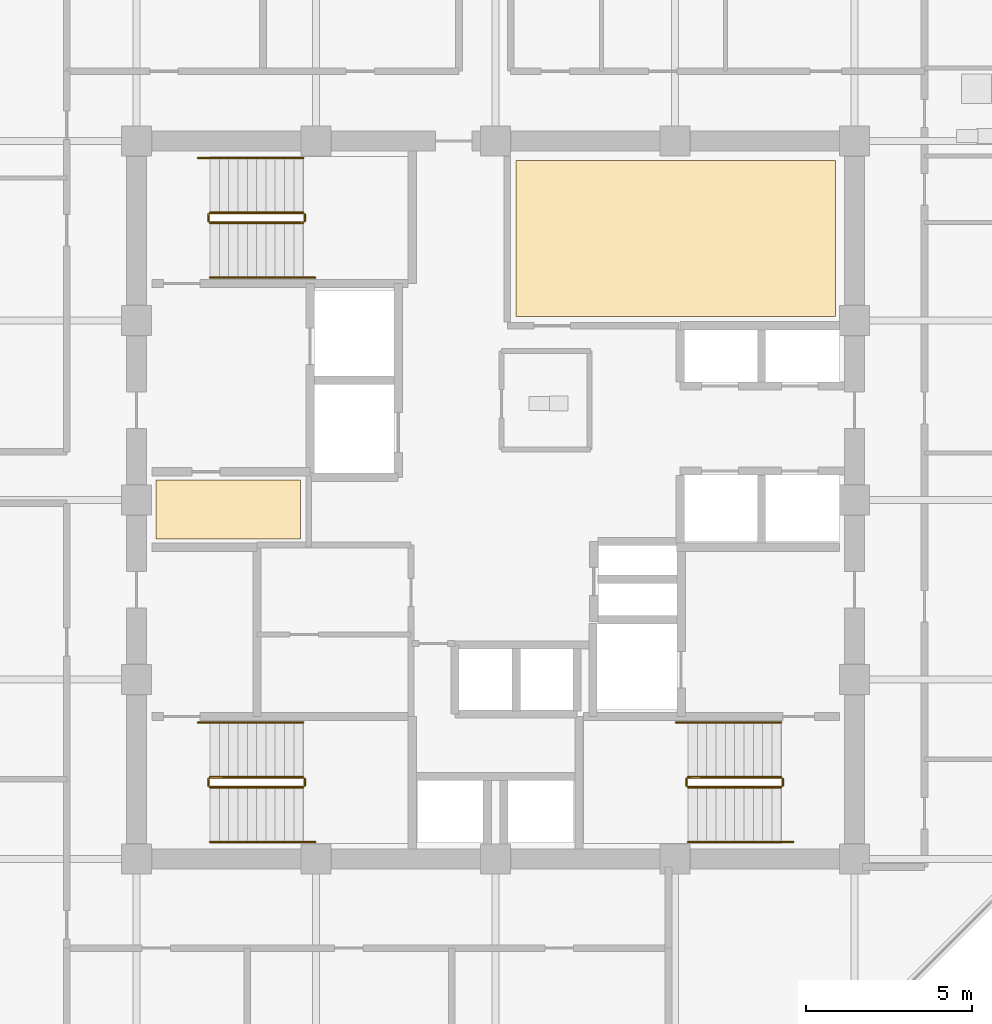
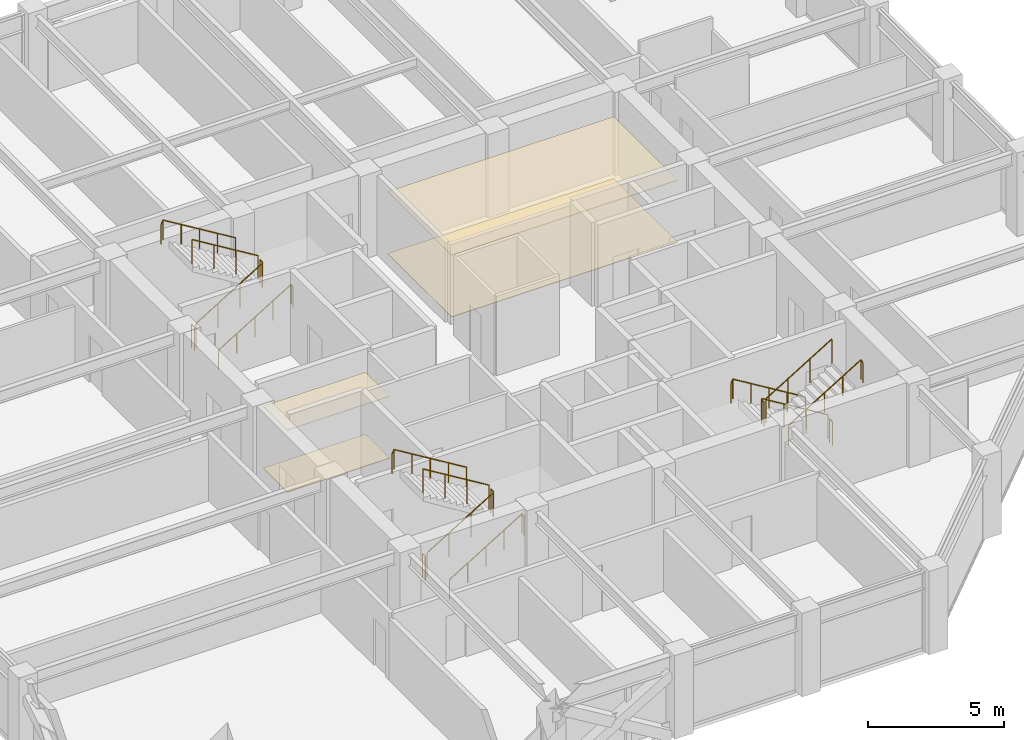
# One storey, part 31 of 32: 18 railings, 4 coverings.
"""IFC4 building model written with IfcOpenShell, lengths in metres."""

from ifc_helpers import new_model, si_unit, direction, frame, origin, origin_2d, place, context, subcontext, project, spatial, polyline, circle, outline, extrude, material, layer, layer_set, type_object, element, save


model = new_model("IFC4")

# Units and contexts
model_context = context("Model", 3, precision=1e-05, world=origin(), true_north=direction((0.0, 1.0)))
body_context = subcontext(model_context, "Body", "Model", "MODEL_VIEW")
ifc_project = project(units=[si_unit("LENGTHUNIT", "METRE"), si_unit("AREAUNIT", "SQUARE_METRE"), si_unit("VOLUMEUNIT", "CUBIC_METRE"), si_unit("PLANEANGLEUNIT", "RADIAN"), si_unit("MASSUNIT", "GRAM", prefix="KILO")], contexts=[model_context])

# Site, building, storey
site_placement = place(None, origin())
site = spatial("IfcSite", under=ifc_project, at=site_placement, CompositionType="ELEMENT")
building_placement = place(site_placement, origin())
building = spatial("IfcBuilding", under=site, at=building_placement, Name="Surkhivell Harbour Commons", CompositionType="ELEMENT")
storey_placement = place(building_placement, frame((0.0, 0.0, 219.75)))
storey = spatial("IfcBuildingStorey", under=building, at=storey_placement, Name="L57", CompositionType="ELEMENT", Elevation=219.75)

# Coverings
ifc_material_1 = material(Name="Perforated acoustic mineral-fibre ceiling tile", Category="other")
ifc_layer_1 = layer(ifc_material_1, 0.02490234375)
ifc_layer_set_1 = layer_set([ifc_layer_1], Name="Perforated acoustic mineral-fibre ceiling tile")
covering_type_1 = type_object("IfcCoveringType", Name="COV-CEIL-AC", PredefinedType="CEILING", material=ifc_layer_set_1)
covering_1_placement = place(storey_placement, frame((0.0, 0.0, 2.77490234375)))
element("IfcCovering", 1, at=covering_1_placement, inside=storey, type_object=covering_type_1, Name="L57 Suspended Acoustic Ceiling 1", PredefinedType="CEILING", context=body_context, shape_type="SweptSolid", body=[
    extrude(outline(polyline([(-10.219970703125, -1.179931640625), (-5.8701171875, -1.179931640625), (-5.8701171875, 0.60009765625), (-10.219970703125, 0.60009765625), (-10.219970703125, -1.179931640625)])), origin(), (0.0, 0.0, 1.0), 0.025146484375),
])
ifc_material_2 = material(Name="Moisture-resistant gypsum acoustic ceiling board", Category="other")
ifc_layer_2 = layer(ifc_material_2, 0.030029296875)
ifc_layer_set_2 = layer_set([ifc_layer_2], Name="Moisture-resistant gypsum acoustic ceiling board")
covering_type_2 = type_object("IfcCoveringType", Name="COV-CEIL-GYP", PredefinedType="CEILING", material=ifc_layer_set_2)
covering_2_placement = place(storey_placement, frame((0.0, 0.0, 2.77001953125)))
element("IfcCovering", 2, at=covering_2_placement, inside=storey, type_object=covering_type_2, Name="L57 Suspended Acoustic Ceiling 2", PredefinedType="CEILING", context=body_context, shape_type="SweptSolid", body=[
    extrude(outline(polyline([(0.6201171875, 5.52001953125), (10.219970703125, 5.52001953125), (10.219970703125, 10.219970703125), (0.6201171875, 10.219970703125), (0.6201171875, 5.52001953125)])), origin(), (0.0, 0.0, 1.0), 0.030029296875),
])
ifc_material_3 = material(Name="Engineered acoustic oak timber flooring", Category="wood")
ifc_layer_3 = layer(ifc_material_3, 0.02001953125)
ifc_layer_set_3 = layer_set([ifc_layer_3], Name="Engineered acoustic oak timber flooring")
covering_type_3 = type_object("IfcCoveringType", Name="COV-FLR-TIM", PredefinedType="FLOORING", material=ifc_layer_set_3)
covering_3_placement = place(storey_placement, origin())
element("IfcCovering", 3, at=covering_3_placement, inside=storey, type_object=covering_type_3, Name="L57 Interior Floor Finish 1", PredefinedType="FLOORING", context=body_context, shape_type="SweptSolid", body=[
    extrude(outline(polyline([(-10.219970703125, -1.179931640625), (-5.8701171875, -1.179931640625), (-5.8701171875, 0.60009765625), (-10.219970703125, 0.60009765625), (-10.219970703125, -1.179931640625)])), origin(), (0.0, 0.0, 1.0), 0.02001953125),
])
covering_4_placement = place(storey_placement, origin())
element("IfcCovering", 4, at=covering_4_placement, inside=storey, type_object=covering_type_3, Name="L57 Interior Floor Finish 2", PredefinedType="FLOORING", context=body_context, shape_type="SweptSolid", body=[
    extrude(outline(polyline([(0.6201171875, 5.52001953125), (10.219970703125, 5.52001953125), (10.219970703125, 10.219970703125), (0.6201171875, 10.219970703125), (0.6201171875, 5.52001953125)])), origin(), (0.0, 0.0, 1.0), 0.02001953125),
])

# Railings
ifc_material_4 = material(Name="Galvanised and painted steel S355 guard rail", Category="steel")
railing_type_1 = type_object("IfcRailingType", Name="RAL-ST-GRD1100", PredefinedType="GUARDRAIL", material=ifc_material_4)
railing_1_placement = place(storey_placement, frame((-8.590087890625, 8.340087890625, 0.17041015625)))
element("IfcRailing", 5, at=railing_1_placement, inside=storey, type_object=railing_type_1, Name="L57 ST1 stair guard 1", PredefinedType="GUARDRAIL", context=body_context, shape_type="SweptSolid", body=[
    extrude(circle(Radius=0.02392578125, at=origin_2d()), frame((0.0, 0.0, 1.076171875), z_axis=(0.854169791009, 0.0, 0.51999420009), x_axis=(0.0, 1.0, 0.0)), (0.0, 0.0, 1.0), 3.278076171875),
    extrude(circle(Radius=0.02099609375, at=origin_2d()), origin(), (0.0, 0.0, 1.0), 1.052001953125),
    extrude(circle(Radius=0.02099609375, at=origin_2d()), frame((0.933349609375, 0.0, 0.568115234375)), (0.0, 0.0, 1.0), 1.052001953125),
    extrude(circle(Radius=0.02099609375, at=origin_2d()), frame((1.86669921875, 0.0, 1.136474609375)), (0.0, 0.0, 1.0), 1.052001953125),
    extrude(circle(Radius=0.02099609375, at=origin_2d()), frame((2.800048828125, 0.0, 1.70458984375)), (0.0, 0.0, 1.0), 1.052001953125),
])
railing_2_placement = place(storey_placement, frame((-5.739990234375, 8.389892578125, 1.875)))
element("IfcRailing", 6, at=railing_2_placement, inside=storey, type_object=railing_type_1, Name="L57 ST1 stair guard 2", PredefinedType="GUARDRAIL", context=body_context, shape_type="SweptSolid", body=[
    extrude(circle(Radius=0.02392578125, at=origin_2d()), frame((0.0, 0.0, 1.076171875), z_axis=(0.0, 1.0, 0.0), x_axis=(-1.0, 0.0, 0.0)), (0.0, 0.0, 1.0), 0.2001953125),
    extrude(circle(Radius=0.02099609375, at=origin_2d()), origin(), (0.0, 0.0, 1.0), 1.052001953125),
    extrude(circle(Radius=0.02099609375, at=origin_2d()), frame((0.0, 0.2001953125, 0.0)), (0.0, 0.0, 1.0), 1.052001953125),
])
railing_3_placement = place(storey_placement, frame((-5.7900390625, 8.639892578125, 2.04541015625)))
element("IfcRailing", 7, at=railing_3_placement, inside=storey, type_object=railing_type_1, Name="L57 ST1 stair guard 3", PredefinedType="GUARDRAIL", context=body_context, shape_type="SweptSolid", body=[
    extrude(circle(Radius=0.02392578125, at=origin_2d()), frame((0.0, 0.0, 1.076171875), z_axis=(-0.854169791009, 0.0, 0.51999420009), x_axis=(0.0, -1.0, 0.0)), (0.0, 0.0, 1.0), 3.278076171875),
    extrude(circle(Radius=0.02099609375, at=origin_2d()), origin(), (0.0, 0.0, 1.0), 1.052001953125),
    extrude(circle(Radius=0.02099609375, at=origin_2d()), frame((-0.933349609375, 0.0, 0.568115234375)), (0.0, 0.0, 1.0), 1.052001953125),
    extrude(circle(Radius=0.02099609375, at=origin_2d()), frame((-1.86669921875, 0.0, 1.136474609375)), (0.0, 0.0, 1.0), 1.052001953125),
    extrude(circle(Radius=0.02099609375, at=origin_2d()), frame((-2.800048828125, 0.0, 1.70458984375)), (0.0, 0.0, 1.0), 1.052001953125),
])
railing_4_placement = place(storey_placement, frame((-8.639892578125, 8.389892578125, 0.0)))
element("IfcRailing", 8, at=railing_4_placement, inside=storey, type_object=railing_type_1, Name="L57 ST1 stair guard 4", PredefinedType="GUARDRAIL", context=body_context, shape_type="SweptSolid", body=[
    extrude(circle(Radius=0.02392578125, at=origin_2d()), frame((0.0, 0.0, 1.076171875), z_axis=(0.0, 1.0, 0.0), x_axis=(-1.0, 0.0, 0.0)), (0.0, 0.0, 1.0), 0.2001953125),
    extrude(circle(Radius=0.02099609375, at=origin_2d()), origin(), (0.0, 0.0, 1.0), 1.052001953125),
    extrude(circle(Radius=0.02099609375, at=origin_2d()), frame((0.0, 0.2001953125, 0.0)), (0.0, 0.0, 1.0), 1.052001953125),
])
railing_5_placement = place(storey_placement, frame((8.590087890625, -8.340087890625, 0.17041015625)))
element("IfcRailing", 9, at=railing_5_placement, inside=storey, type_object=railing_type_1, Name="L57 ST2 stair guard 1", PredefinedType="GUARDRAIL", context=body_context, shape_type="SweptSolid", body=[
    extrude(circle(Radius=0.02392578125, at=origin_2d()), frame((0.0, 0.0, 1.076171875), z_axis=(-0.854169791009, 0.0, 0.51999420009), x_axis=(0.0, -1.0, 0.0)), (0.0, 0.0, 1.0), 3.278076171875),
    extrude(circle(Radius=0.02099609375, at=origin_2d()), origin(), (0.0, 0.0, 1.0), 1.052001953125),
    extrude(circle(Radius=0.02099609375, at=origin_2d()), frame((-0.933349609375, 0.0, 0.568115234375)), (0.0, 0.0, 1.0), 1.052001953125),
    extrude(circle(Radius=0.02099609375, at=origin_2d()), frame((-1.86669921875, 0.0, 1.136474609375)), (0.0, 0.0, 1.0), 1.052001953125),
    extrude(circle(Radius=0.02099609375, at=origin_2d()), frame((-2.800048828125, 0.0, 1.70458984375)), (0.0, 0.0, 1.0), 1.052001953125),
])
railing_6_placement = place(storey_placement, frame((5.739990234375, -8.389892578125, 1.875)))
element("IfcRailing", 10, at=railing_6_placement, inside=storey, type_object=railing_type_1, Name="L57 ST2 stair guard 2", PredefinedType="GUARDRAIL", context=body_context, shape_type="SweptSolid", body=[
    extrude(circle(Radius=0.02392578125, at=origin_2d()), frame((0.0, 0.0, 1.076171875), z_axis=(0.0, -1.0, 0.0), x_axis=(1.0, 0.0, 0.0)), (0.0, 0.0, 1.0), 0.2001953125),
    extrude(circle(Radius=0.02099609375, at=origin_2d()), origin(), (0.0, 0.0, 1.0), 1.052001953125),
    extrude(circle(Radius=0.02099609375, at=origin_2d()), frame((0.0, -0.2001953125, 0.0)), (0.0, 0.0, 1.0), 1.052001953125),
])
railing_7_placement = place(storey_placement, frame((5.7900390625, -8.639892578125, 2.04541015625)))
element("IfcRailing", 11, at=railing_7_placement, inside=storey, type_object=railing_type_1, Name="L57 ST2 stair guard 3", PredefinedType="GUARDRAIL", context=body_context, shape_type="SweptSolid", body=[
    extrude(circle(Radius=0.02392578125, at=origin_2d()), frame((0.0, 0.0, 1.076171875), z_axis=(0.854169791009, 0.0, 0.51999420009), x_axis=(0.0, 1.0, 0.0)), (0.0, 0.0, 1.0), 3.278076171875),
    extrude(circle(Radius=0.02099609375, at=origin_2d()), origin(), (0.0, 0.0, 1.0), 1.052001953125),
    extrude(circle(Radius=0.02099609375, at=origin_2d()), frame((0.933349609375, 0.0, 0.568115234375)), (0.0, 0.0, 1.0), 1.052001953125),
    extrude(circle(Radius=0.02099609375, at=origin_2d()), frame((1.86669921875, 0.0, 1.136474609375)), (0.0, 0.0, 1.0), 1.052001953125),
    extrude(circle(Radius=0.02099609375, at=origin_2d()), frame((2.800048828125, 0.0, 1.70458984375)), (0.0, 0.0, 1.0), 1.052001953125),
])
railing_8_placement = place(storey_placement, frame((8.639892578125, -8.389892578125, 0.0)))
element("IfcRailing", 12, at=railing_8_placement, inside=storey, type_object=railing_type_1, Name="L57 ST2 stair guard 4", PredefinedType="GUARDRAIL", context=body_context, shape_type="SweptSolid", body=[
    extrude(circle(Radius=0.02392578125, at=origin_2d()), frame((0.0, 0.0, 1.076171875), z_axis=(0.0, -1.0, 0.0), x_axis=(1.0, 0.0, 0.0)), (0.0, 0.0, 1.0), 0.2001953125),
    extrude(circle(Radius=0.02099609375, at=origin_2d()), origin(), (0.0, 0.0, 1.0), 1.052001953125),
    extrude(circle(Radius=0.02099609375, at=origin_2d()), frame((0.0, -0.2001953125, 0.0)), (0.0, 0.0, 1.0), 1.052001953125),
])
railing_9_placement = place(storey_placement, frame((-8.590087890625, -8.639892578125, 0.17041015625)))
element("IfcRailing", 13, at=railing_9_placement, inside=storey, type_object=railing_type_1, Name="L57 ST3 stair guard 1", PredefinedType="GUARDRAIL", context=body_context, shape_type="SweptSolid", body=[
    extrude(circle(Radius=0.02392578125, at=origin_2d()), frame((0.0, 0.0, 1.076171875), z_axis=(0.854169791009, 0.0, 0.51999420009), x_axis=(0.0, 1.0, 0.0)), (0.0, 0.0, 1.0), 3.278076171875),
    extrude(circle(Radius=0.02099609375, at=origin_2d()), origin(), (0.0, 0.0, 1.0), 1.052001953125),
    extrude(circle(Radius=0.02099609375, at=origin_2d()), frame((0.933349609375, 0.0, 0.568115234375)), (0.0, 0.0, 1.0), 1.052001953125),
    extrude(circle(Radius=0.02099609375, at=origin_2d()), frame((1.86669921875, 0.0, 1.136474609375)), (0.0, 0.0, 1.0), 1.052001953125),
    extrude(circle(Radius=0.02099609375, at=origin_2d()), frame((2.800048828125, 0.0, 1.70458984375)), (0.0, 0.0, 1.0), 1.052001953125),
])
railing_10_placement = place(storey_placement, frame((-5.739990234375, -8.590087890625, 1.875)))
element("IfcRailing", 14, at=railing_10_placement, inside=storey, type_object=railing_type_1, Name="L57 ST3 stair guard 2", PredefinedType="GUARDRAIL", context=body_context, shape_type="SweptSolid", body=[
    extrude(circle(Radius=0.02392578125, at=origin_2d()), frame((0.0, 0.0, 1.076171875), z_axis=(0.0, 1.0, 0.0), x_axis=(-1.0, 0.0, 0.0)), (0.0, 0.0, 1.0), 0.2001953125),
    extrude(circle(Radius=0.02099609375, at=origin_2d()), origin(), (0.0, 0.0, 1.0), 1.052001953125),
    extrude(circle(Radius=0.02099609375, at=origin_2d()), frame((0.0, 0.2001953125, 0.0)), (0.0, 0.0, 1.0), 1.052001953125),
])
railing_11_placement = place(storey_placement, frame((-5.7900390625, -8.340087890625, 2.04541015625)))
element("IfcRailing", 15, at=railing_11_placement, inside=storey, type_object=railing_type_1, Name="L57 ST3 stair guard 3", PredefinedType="GUARDRAIL", context=body_context, shape_type="SweptSolid", body=[
    extrude(circle(Radius=0.02392578125, at=origin_2d()), frame((0.0, 0.0, 1.076171875), z_axis=(-0.854169791009, 0.0, 0.51999420009), x_axis=(0.0, -1.0, 0.0)), (0.0, 0.0, 1.0), 3.278076171875),
    extrude(circle(Radius=0.02099609375, at=origin_2d()), origin(), (0.0, 0.0, 1.0), 1.052001953125),
    extrude(circle(Radius=0.02099609375, at=origin_2d()), frame((-0.933349609375, 0.0, 0.568115234375)), (0.0, 0.0, 1.0), 1.052001953125),
    extrude(circle(Radius=0.02099609375, at=origin_2d()), frame((-1.86669921875, 0.0, 1.136474609375)), (0.0, 0.0, 1.0), 1.052001953125),
    extrude(circle(Radius=0.02099609375, at=origin_2d()), frame((-2.800048828125, 0.0, 1.70458984375)), (0.0, 0.0, 1.0), 1.052001953125),
])
railing_12_placement = place(storey_placement, frame((-8.639892578125, -8.590087890625, 0.0)))
element("IfcRailing", 16, at=railing_12_placement, inside=storey, type_object=railing_type_1, Name="L57 ST3 stair guard 4", PredefinedType="GUARDRAIL", context=body_context, shape_type="SweptSolid", body=[
    extrude(circle(Radius=0.02392578125, at=origin_2d()), frame((0.0, 0.0, 1.076171875), z_axis=(0.0, 1.0, 0.0), x_axis=(-1.0, 0.0, 0.0)), (0.0, 0.0, 1.0), 0.2001953125),
    extrude(circle(Radius=0.02099609375, at=origin_2d()), origin(), (0.0, 0.0, 1.0), 1.052001953125),
    extrude(circle(Radius=0.02099609375, at=origin_2d()), frame((0.0, 0.2001953125, 0.0)), (0.0, 0.0, 1.0), 1.052001953125),
])
ifc_material_5 = material(Name="Brushed stainless steel S355 handrail", Category="steel")
railing_type_2 = type_object("IfcRailingType", Name="RAL-ST-HND900", PredefinedType="HANDRAIL", material=ifc_material_5)
railing_13_placement = place(storey_placement, frame((-8.590087890625, 6.68994140625, 0.17041015625)))
element("IfcRailing", 17, at=railing_13_placement, inside=storey, type_object=railing_type_2, Name="L57 ST1 stair handrail 1", PredefinedType="HANDRAIL", context=body_context, shape_type="SweptSolid", body=[
    extrude(circle(Radius=0.02392578125, at=origin_2d()), frame((0.0, 0.0, 0.8759765625), z_axis=(0.854177636135, 0.0, 0.519981313056), x_axis=(0.0, 1.0, 0.0)), (0.0, 0.0, 1.0), 3.60595703125),
    extrude(circle(Radius=0.02392578125, at=origin_2d()), frame((3.080078125, 0.0, 2.7509765625), z_axis=(0.425297416671, 0.0, -0.905053648892), x_axis=(0.0, 1.0, 0.0)), (0.0, 0.0, 1.0), 0.188232421875),
    extrude(circle(Radius=0.02099609375, at=origin_2d()), origin(), (0.0, 0.0, 1.0), 0.851806640625),
    extrude(circle(Radius=0.02099609375, at=origin_2d()), frame((0.77001953125, 0.0, 0.46875)), (0.0, 0.0, 1.0), 0.851806640625),
    extrude(circle(Radius=0.02099609375, at=origin_2d()), frame((1.5400390625, 0.0, 0.9375)), (0.0, 0.0, 1.0), 0.851806640625),
    extrude(circle(Radius=0.02099609375, at=origin_2d()), frame((2.31005859375, 0.0, 1.40625)), (0.0, 0.0, 1.0), 0.851806640625),
    extrude(circle(Radius=0.02099609375, at=origin_2d()), frame((3.080078125, 0.0, 1.875)), (0.0, 0.0, 1.0), 0.851806640625),
    extrude(circle(Radius=0.02099609375, at=origin_2d()), frame((3.16015625, 0.0, 1.70458984375)), (0.0, 0.0, 1.0), 0.851806640625),
])
railing_14_placement = place(storey_placement, frame((-5.7900390625, 10.2900390625, 2.04541015625)))
element("IfcRailing", 18, at=railing_14_placement, inside=storey, type_object=railing_type_2, Name="L57 ST1 stair handrail 2", PredefinedType="HANDRAIL", context=body_context, shape_type="SweptSolid", body=[
    extrude(circle(Radius=0.02392578125, at=origin_2d()), frame((0.0, 0.0, 0.8759765625), z_axis=(-0.854177636135, 0.0, 0.519981313056), x_axis=(0.0, -1.0, 0.0)), (0.0, 0.0, 1.0), 3.60595703125),
    extrude(circle(Radius=0.02392578125, at=origin_2d()), frame((-3.080078125, 0.0, 2.7509765625), z_axis=(-0.424234432967, 0.0, -0.905552398199), x_axis=(0.0, -1.0, 0.0)), (0.0, 0.0, 1.0), 0.188232421875),
    extrude(circle(Radius=0.02099609375, at=origin_2d()), origin(), (0.0, 0.0, 1.0), 0.851806640625),
    extrude(circle(Radius=0.02099609375, at=origin_2d()), frame((-0.77001953125, 0.0, 0.46875)), (0.0, 0.0, 1.0), 0.851806640625),
    extrude(circle(Radius=0.02099609375, at=origin_2d()), frame((-1.5400390625, 0.0, 0.9375)), (0.0, 0.0, 1.0), 0.851806640625),
    extrude(circle(Radius=0.02099609375, at=origin_2d()), frame((-2.31005859375, 0.0, 1.40625)), (0.0, 0.0, 1.0), 0.851806640625),
    extrude(circle(Radius=0.02099609375, at=origin_2d()), frame((-3.080078125, 0.0, 1.875)), (0.0, 0.0, 1.0), 0.851806640625),
    extrude(circle(Radius=0.02099609375, at=origin_2d()), frame((-3.159912109375, 0.0, 1.70458984375)), (0.0, 0.0, 1.0), 0.851806640625),
])
railing_15_placement = place(storey_placement, frame((8.590087890625, -6.68994140625, 0.17041015625)))
element("IfcRailing", 19, at=railing_15_placement, inside=storey, type_object=railing_type_2, Name="L57 ST2 stair handrail 1", PredefinedType="HANDRAIL", context=body_context, shape_type="SweptSolid", body=[
    extrude(circle(Radius=0.02392578125, at=origin_2d()), frame((0.0, 0.0, 0.8759765625), z_axis=(-0.854177636135, 0.0, 0.519981313056), x_axis=(0.0, -1.0, 0.0)), (0.0, 0.0, 1.0), 3.60595703125),
    extrude(circle(Radius=0.02392578125, at=origin_2d()), frame((-3.080078125, 0.0, 2.7509765625), z_axis=(-0.425297416671, 0.0, -0.905053648892), x_axis=(0.0, -1.0, 0.0)), (0.0, 0.0, 1.0), 0.188232421875),
    extrude(circle(Radius=0.02099609375, at=origin_2d()), origin(), (0.0, 0.0, 1.0), 0.851806640625),
    extrude(circle(Radius=0.02099609375, at=origin_2d()), frame((-0.77001953125, 0.0, 0.46875)), (0.0, 0.0, 1.0), 0.851806640625),
    extrude(circle(Radius=0.02099609375, at=origin_2d()), frame((-1.5400390625, 0.0, 0.9375)), (0.0, 0.0, 1.0), 0.851806640625),
    extrude(circle(Radius=0.02099609375, at=origin_2d()), frame((-2.31005859375, 0.0, 1.40625)), (0.0, 0.0, 1.0), 0.851806640625),
    extrude(circle(Radius=0.02099609375, at=origin_2d()), frame((-3.080078125, 0.0, 1.875)), (0.0, 0.0, 1.0), 0.851806640625),
    extrude(circle(Radius=0.02099609375, at=origin_2d()), frame((-3.16015625, 0.0, 1.70458984375)), (0.0, 0.0, 1.0), 0.851806640625),
])
railing_16_placement = place(storey_placement, frame((5.7900390625, -10.2900390625, 2.04541015625)))
element("IfcRailing", 20, at=railing_16_placement, inside=storey, type_object=railing_type_2, Name="L57 ST2 stair handrail 2", PredefinedType="HANDRAIL", context=body_context, shape_type="SweptSolid", body=[
    extrude(circle(Radius=0.02392578125, at=origin_2d()), frame((0.0, 0.0, 0.8759765625), z_axis=(0.854177636135, 0.0, 0.519981313056), x_axis=(0.0, 1.0, 0.0)), (0.0, 0.0, 1.0), 3.60595703125),
    extrude(circle(Radius=0.02392578125, at=origin_2d()), frame((3.080078125, 0.0, 2.7509765625), z_axis=(0.424234432967, 0.0, -0.905552398199), x_axis=(0.0, 1.0, 0.0)), (0.0, 0.0, 1.0), 0.188232421875),
    extrude(circle(Radius=0.02099609375, at=origin_2d()), origin(), (0.0, 0.0, 1.0), 0.851806640625),
    extrude(circle(Radius=0.02099609375, at=origin_2d()), frame((0.77001953125, 0.0, 0.46875)), (0.0, 0.0, 1.0), 0.851806640625),
    extrude(circle(Radius=0.02099609375, at=origin_2d()), frame((1.5400390625, 0.0, 0.9375)), (0.0, 0.0, 1.0), 0.851806640625),
    extrude(circle(Radius=0.02099609375, at=origin_2d()), frame((2.31005859375, 0.0, 1.40625)), (0.0, 0.0, 1.0), 0.851806640625),
    extrude(circle(Radius=0.02099609375, at=origin_2d()), frame((3.080078125, 0.0, 1.875)), (0.0, 0.0, 1.0), 0.851806640625),
    extrude(circle(Radius=0.02099609375, at=origin_2d()), frame((3.159912109375, 0.0, 1.70458984375)), (0.0, 0.0, 1.0), 0.851806640625),
])
railing_17_placement = place(storey_placement, frame((-8.590087890625, -10.2900390625, 0.17041015625)))
element("IfcRailing", 21, at=railing_17_placement, inside=storey, type_object=railing_type_2, Name="L57 ST3 stair handrail 1", PredefinedType="HANDRAIL", context=body_context, shape_type="SweptSolid", body=[
    extrude(circle(Radius=0.02392578125, at=origin_2d()), frame((0.0, 0.0, 0.8759765625), z_axis=(0.854177636135, 0.0, 0.519981313056), x_axis=(0.0, 1.0, 0.0)), (0.0, 0.0, 1.0), 3.60595703125),
    extrude(circle(Radius=0.02392578125, at=origin_2d()), frame((3.080078125, 0.0, 2.7509765625), z_axis=(0.425297416671, 0.0, -0.905053648892), x_axis=(0.0, 1.0, 0.0)), (0.0, 0.0, 1.0), 0.188232421875),
    extrude(circle(Radius=0.02099609375, at=origin_2d()), origin(), (0.0, 0.0, 1.0), 0.851806640625),
    extrude(circle(Radius=0.02099609375, at=origin_2d()), frame((0.77001953125, 0.0, 0.46875)), (0.0, 0.0, 1.0), 0.851806640625),
    extrude(circle(Radius=0.02099609375, at=origin_2d()), frame((1.5400390625, 0.0, 0.9375)), (0.0, 0.0, 1.0), 0.851806640625),
    extrude(circle(Radius=0.02099609375, at=origin_2d()), frame((2.31005859375, 0.0, 1.40625)), (0.0, 0.0, 1.0), 0.851806640625),
    extrude(circle(Radius=0.02099609375, at=origin_2d()), frame((3.080078125, 0.0, 1.875)), (0.0, 0.0, 1.0), 0.851806640625),
    extrude(circle(Radius=0.02099609375, at=origin_2d()), frame((3.16015625, 0.0, 1.70458984375)), (0.0, 0.0, 1.0), 0.851806640625),
])
railing_18_placement = place(storey_placement, frame((-5.7900390625, -6.68994140625, 2.04541015625)))
element("IfcRailing", 22, at=railing_18_placement, inside=storey, type_object=railing_type_2, Name="L57 ST3 stair handrail 2", PredefinedType="HANDRAIL", context=body_context, shape_type="SweptSolid", body=[
    extrude(circle(Radius=0.02392578125, at=origin_2d()), frame((0.0, 0.0, 0.8759765625), z_axis=(-0.854177636135, 0.0, 0.519981313056), x_axis=(0.0, -1.0, 0.0)), (0.0, 0.0, 1.0), 3.60595703125),
    extrude(circle(Radius=0.02392578125, at=origin_2d()), frame((-3.080078125, 0.0, 2.7509765625), z_axis=(-0.424234432967, 0.0, -0.905552398199), x_axis=(0.0, -1.0, 0.0)), (0.0, 0.0, 1.0), 0.188232421875),
    extrude(circle(Radius=0.02099609375, at=origin_2d()), origin(), (0.0, 0.0, 1.0), 0.851806640625),
    extrude(circle(Radius=0.02099609375, at=origin_2d()), frame((-0.77001953125, 0.0, 0.46875)), (0.0, 0.0, 1.0), 0.851806640625),
    extrude(circle(Radius=0.02099609375, at=origin_2d()), frame((-1.5400390625, 0.0, 0.9375)), (0.0, 0.0, 1.0), 0.851806640625),
    extrude(circle(Radius=0.02099609375, at=origin_2d()), frame((-2.31005859375, 0.0, 1.40625)), (0.0, 0.0, 1.0), 0.851806640625),
    extrude(circle(Radius=0.02099609375, at=origin_2d()), frame((-3.080078125, 0.0, 1.875)), (0.0, 0.0, 1.0), 0.851806640625),
    extrude(circle(Radius=0.02099609375, at=origin_2d()), frame((-3.159912109375, 0.0, 1.70458984375)), (0.0, 0.0, 1.0), 0.851806640625),
])

save(model, "model.ifc")
